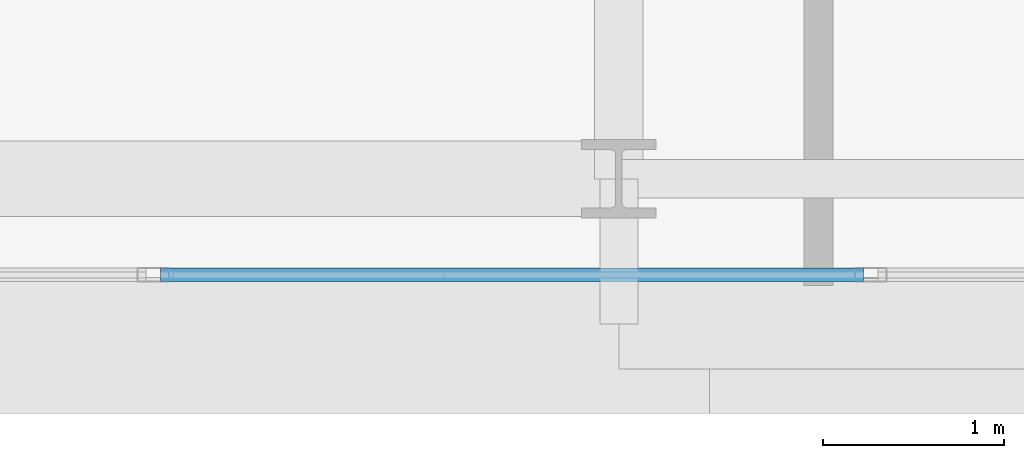
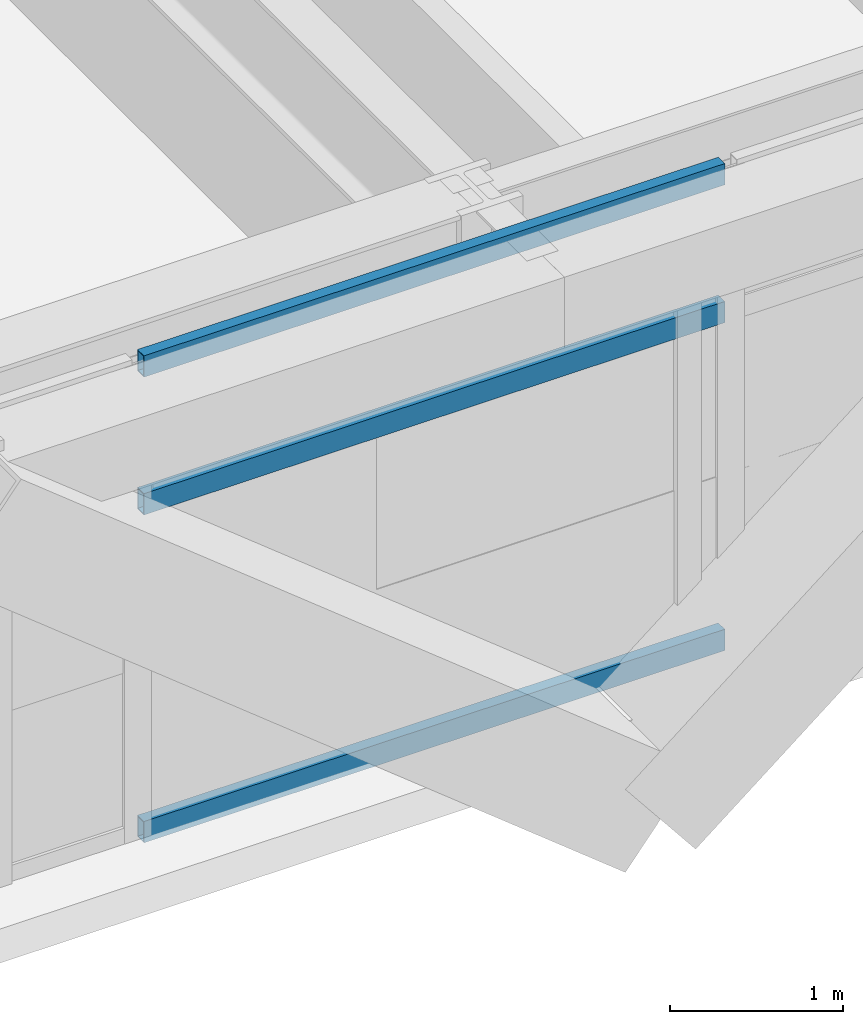
# One storey, part 6 of 39: 3 members, 1 element without a shape of its own.
"""IFC4 building model written with IfcOpenShell, lengths in metres."""

from ifc_helpers import new_model, si_unit, direction, frame, origin, origin_2d, place, context, subcontext, project, spatial, hollow_rectangle, extrude, source, transform, mapped, material, layer, layer_set, material_profile, profile_set, type_object, element, aggregate, save


model = new_model("IFC4")

# Units and contexts
model_context = context("Model", 3, precision=1e-05, world=origin(), true_north=direction((0.0, 1.0)))
body_context = subcontext(model_context, "Body", "Model", "MODEL_VIEW")
ifc_project = project(units=[si_unit("LENGTHUNIT", "METRE"), si_unit("AREAUNIT", "SQUARE_METRE"), si_unit("VOLUMEUNIT", "CUBIC_METRE"), si_unit("PLANEANGLEUNIT", "RADIAN"), si_unit("MASSUNIT", "GRAM", prefix="KILO")], contexts=[model_context])

# Site, building, storey
site_placement = place(None, origin())
site = spatial("IfcSite", under=ifc_project, at=site_placement, CompositionType="ELEMENT")
building_placement = place(site_placement, origin())
building = spatial("IfcBuilding", under=site, at=building_placement, Name="Ocotamira Hotel", CompositionType="ELEMENT")
storey_placement = place(building_placement, frame((0.0, 0.0, 104.39990234375)))
storey = spatial("IfcBuildingStorey", under=building, at=storey_placement, Name="L25", CompositionType="ELEMENT", Elevation=104.39990234375)

# Curtain wall, members
ifc_material_1 = material(Name="Anodised pale-metal aluminium and solar glass", Category="aluminium")
ifc_layer = layer(ifc_material_1, 0.179931640625)
ifc_layer_set = layer_set([ifc_layer], Name="Anodised pale-metal aluminium and solar glass")
curtain_wall_type = type_object("IfcCurtainWallType", Name="CW-SYS3-Z2", PredefinedType="NOTDEFINED", material=ifc_layer_set)
curtain_wall_placement = place(storey_placement, origin())
curtain_wall = element("IfcCurtainWall", 1, at=curtain_wall_placement, inside=storey, type_object=curtain_wall_type, Name="L25 Curtain Wall CW-3 CW-L25-S1", PredefinedType="NOTDEFINED")
ifc_material_2 = material(Name="Anodised pale-metal aluminium 6063-T6", Category="aluminium")
ifc_material_profile = material_profile(ifc_material_2, hollow_rectangle(XDim=0.074951171875, YDim=0.14990234375, WallThickness=0.006103515625, at=origin_2d()), Name="HSS150X75X6")
ifc_profile_set = profile_set([ifc_material_profile], Name="Anodised pale-metal aluminium 6063-T6")
member_type = type_object("IfcMemberType", Name="CWT-150X75", PredefinedType="USERDEFINED", material=ifc_profile_set)
shared_shape = source(origin(), body_context, "Body", "SweptSolid", [
    extrude(hollow_rectangle(XDim=0.074951171875, YDim=0.14990234375, WallThickness=0.006103515625, at=origin_2d()), origin(), (0.0, 0.0, 1.0), 3.87548828125),
])
member_1_placement = place(storey_placement, frame((37.973388671875, 2.419921875, 0.03759765625), z_axis=(1.0, 0.0, 0.0), x_axis=(0.0, 1.0, 0.0)))
member_1 = element("IfcMember", 2, at=member_1_placement, type_object=member_type, Name="CW-3 transom 7.1", ObjectType="TRANSOM", PredefinedType="USERDEFINED", context=body_context, shape_type="MappedRepresentation", body=[
    mapped(shared_shape, transform((0.0, 0.0, 0.0), scale=1.0)),
])
member_2_placement = place(storey_placement, frame((37.973388671875, 2.419921875, 2.35009765625), z_axis=(1.0, 0.0, 0.0), x_axis=(0.0, 1.0, 0.0)))
member_2 = element("IfcMember", 3, at=member_2_placement, type_object=member_type, Name="CW-3 transom 7.2", ObjectType="TRANSOM", PredefinedType="USERDEFINED", context=body_context, shape_type="MappedRepresentation", body=[
    mapped(shared_shape, transform((0.0, 0.0, 0.0), scale=1.0)),
])
member_3_placement = place(storey_placement, frame((37.973388671875, 2.419921875, 3.322509765625), z_axis=(1.0, 0.0, 0.0), x_axis=(0.0, 1.0, 0.0)))
member_3 = element("IfcMember", 4, at=member_3_placement, type_object=member_type, Name="CW-3 transom 7.3", ObjectType="TRANSOM", PredefinedType="USERDEFINED", context=body_context, shape_type="MappedRepresentation", body=[
    mapped(shared_shape, transform((0.0, 0.0, 0.0), scale=1.0)),
])
aggregate(curtain_wall, [member_1, member_2, member_3])

save(model, "model.ifc")
